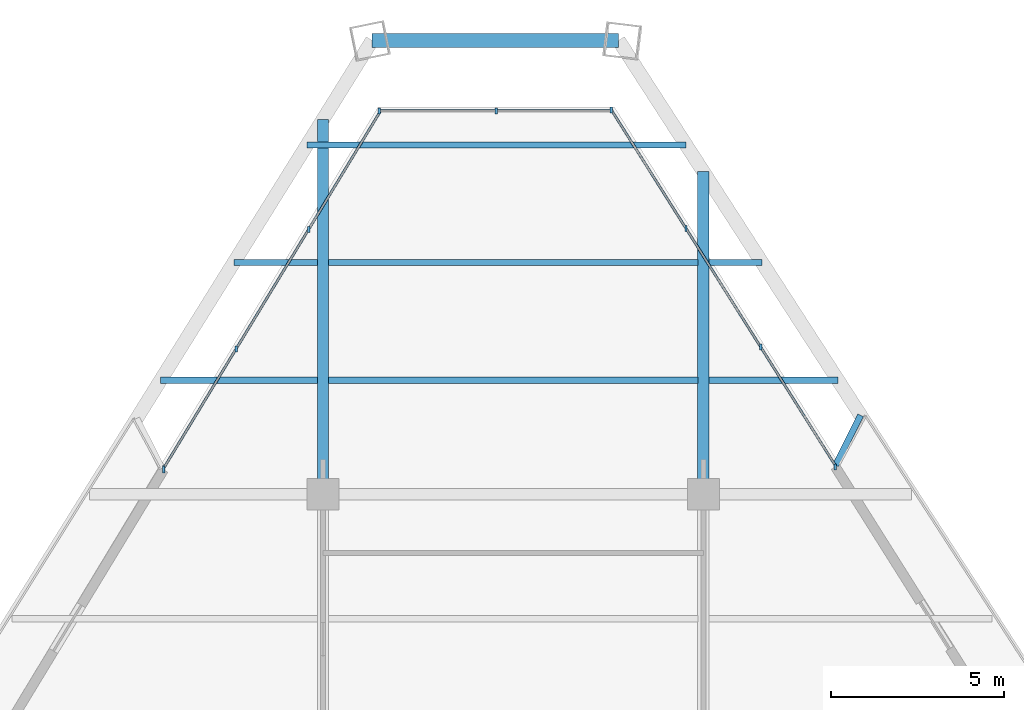
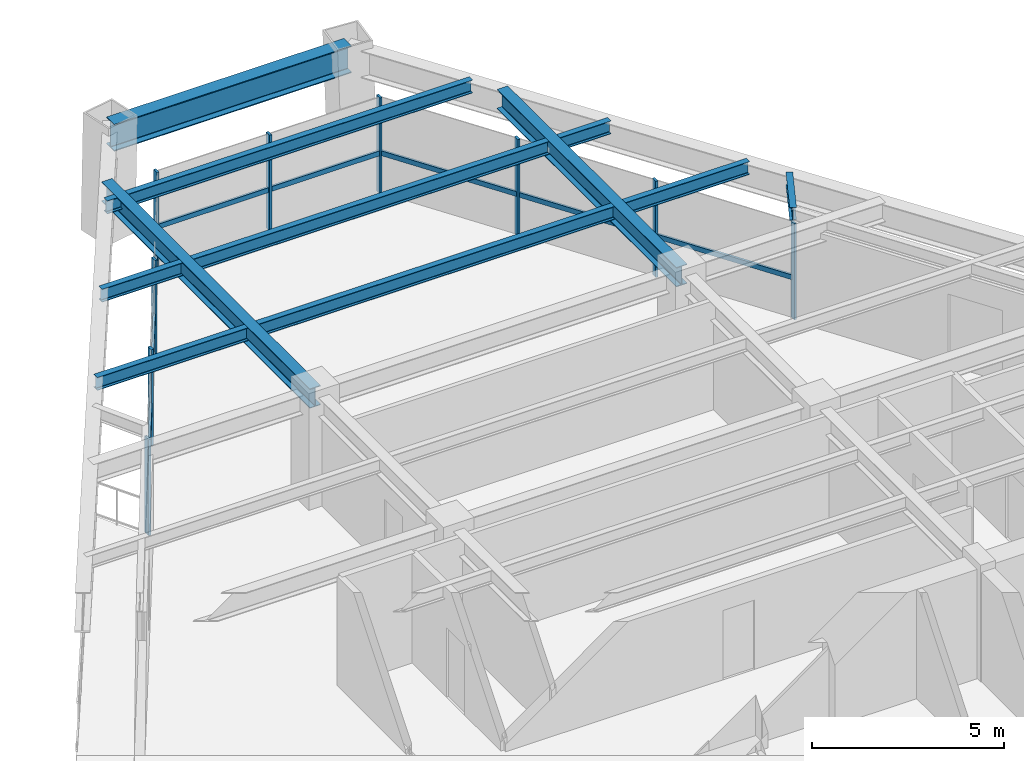
# One storey, part 6 of 12: 18 members, 11 beams, 3 elements without a shape of their own.
"""IFC4 building model written with IfcOpenShell, lengths in metres."""

from ifc_helpers import new_model, si_unit, direction, frame, origin, origin_2d, place, context, subcontext, project, spatial, rectangle, i_section, extrude, source, transform, mapped, material, material_profile, profile_set, type_object, element, aggregate, save


model = new_model("IFC4")

# Units and contexts
model_context = context("Model", 3, precision=1e-05, world=origin(), true_north=direction((0.0, 1.0)))
body_context = subcontext(model_context, "Body", "Model", "MODEL_VIEW")
ifc_project = project(units=[si_unit("LENGTHUNIT", "METRE"), si_unit("AREAUNIT", "SQUARE_METRE"), si_unit("VOLUMEUNIT", "CUBIC_METRE"), si_unit("PLANEANGLEUNIT", "RADIAN"), si_unit("MASSUNIT", "GRAM", prefix="KILO")], contexts=[model_context])

# Site, building, storey
site_placement = place(None, origin())
site = spatial("IfcSite", under=ifc_project, at=site_placement, CompositionType="ELEMENT")
building_placement = place(site_placement, origin())
building = spatial("IfcBuilding", under=site, at=building_placement, Name="Varnakhor Terracotta Tower", CompositionType="ELEMENT")
storey_placement = place(building_placement, frame((0.0, 0.0, 208.0)))
storey = spatial("IfcBuildingStorey", under=building, at=storey_placement, Name="L53", CompositionType="ELEMENT", Elevation=208.0)

# Beams
ifc_material_1 = material(Name="Steel S355", Category="steel")
ifc_material_profile_1 = material_profile(ifc_material_1, i_section(OverallWidth=0.179931640625, OverallDepth=0.4130859375, WebThickness=0.009765625, FlangeThickness=0.01611328125, FilletRadius=0.01806640625, at=origin_2d()), Name="W16X50")
ifc_profile_set_1 = profile_set([ifc_material_profile_1], Name="Steel S355")
beam_type_1 = type_object("IfcBeamType", Name="JST-W16X50", PredefinedType="JOIST", material=ifc_profile_set_1)
shared_shape_1 = source(origin(), body_context, "Body", "SweptSolid", [
    extrude(i_section(OverallWidth=0.179931640625, OverallDepth=0.4130859375, WebThickness=0.009765625, FlangeThickness=0.01611328125, FilletRadius=0.01806640625, at=origin_2d()), origin(), (0.0, 0.0, 1.0), 10.68310546875),
])
for number, where, z_axis, x_axis, name in (
    (1, (-5.341552734375, 34.800048828125, 3.263427734375), (1.0, 0.0, 0.0), (0.0, 1.0, 0.0), "L53 Composite Floor Joist 7-2"),
    (2, (-5.341552734375, 38.199951171875, 3.263427734375), (1.0, 0.0, 0.0), (0.0, 1.0, 0.0), "L53 Composite Floor Joist 8-2"),
):
    element("IfcBeam", number, at=place(storey_placement, frame(where, z_axis=z_axis, x_axis=x_axis)), inside=storey, type_object=beam_type_1, Name=name, PredefinedType="JOIST", context=body_context, shape_type="MappedRepresentation", body=[
        mapped(shared_shape_1, transform((0.0, 0.0, 0.0), scale=1.0)),
    ])
ifc_material_profile_2 = material_profile(ifc_material_1, i_section(OverallWidth=0.39990234375, OverallDepth=0.85498046875, WebThickness=0.01806640625, FlangeThickness=0.029052734375, FilletRadius=0.01806640625, at=origin_2d()), Name="W33X201")
ifc_profile_set_2 = profile_set([ifc_material_profile_2], Name="Steel S355")
beam_type_2 = type_object("IfcBeamType", Name="BM-W33X201", PredefinedType="BEAM", material=ifc_profile_set_2)
shared_shape_2 = source(origin(), body_context, "Body", "SweptSolid", [
    extrude(i_section(OverallWidth=0.39990234375, OverallDepth=0.85498046875, WebThickness=0.01806640625, FlangeThickness=0.029052734375, FilletRadius=0.01806640625, at=origin_2d()), origin(), (0.0, 0.0, 1.0), 7.127197265625),
])
beam_1_placement = place(storey_placement, frame((3.050048828125, 44.622802734375, 3.04248046875), z_axis=(-1.0, 0.0, 0.0), x_axis=(0.0, -1.0, 0.0)))
element("IfcBeam", 3, at=beam_1_placement, inside=storey, type_object=beam_type_2, Name="L53 Perimeter Spandrel 5", PredefinedType="BEAM", context=body_context, shape_type="MappedRepresentation", body=[
    mapped(shared_shape_2, transform((0.0, 0.0, 0.0), scale=1.0)),
])
ifc_material_profile_3 = material_profile(ifc_material_1, i_section(OverallWidth=0.324951171875, OverallDepth=0.615966796875, WebThickness=0.013916015625, FlangeThickness=0.02197265625, FilletRadius=0.01806640625, at=origin_2d()), Name="W24X117")
ifc_profile_set_3 = profile_set([ifc_material_profile_3], Name="Steel S355")
beam_type_3 = type_object("IfcBeamType", Name="BM-W24X117", PredefinedType="BEAM", material=ifc_profile_set_3)
shared_shape_3 = source(origin(), body_context, "Body", "SweptSolid", [
    extrude(i_section(OverallWidth=0.324951171875, OverallDepth=0.615966796875, WebThickness=0.013916015625, FlangeThickness=0.02197265625, FilletRadius=0.01806640625, at=origin_2d()), origin(), (0.0, 0.0, 1.0), 10.837646484375),
])
beam_2_placement = place(storey_placement, frame((-5.5, 31.5, 3.162109375), z_axis=(0.0, 1.0, 0.0), x_axis=(-1.0, 0.0, 0.0)))
element("IfcBeam", 4, at=beam_2_placement, inside=storey, type_object=beam_type_3, Name="L53 Primary Girder NS3-W", PredefinedType="BEAM", context=body_context, shape_type="MappedRepresentation", body=[
    mapped(shared_shape_3, transform((0.0, 0.0, 0.0), scale=1.0)),
])
shared_shape_4 = source(origin(), body_context, "Body", "SweptSolid", [
    extrude(i_section(OverallWidth=0.324951171875, OverallDepth=0.615966796875, WebThickness=0.013916015625, FlangeThickness=0.02197265625, FilletRadius=0.01806640625, at=origin_2d()), origin(), (0.0, 0.0, 1.0), 9.328369140625),
])
beam_3_placement = place(storey_placement, frame((5.5, 31.5, 3.162109375), z_axis=(0.0, 1.0, 0.0), x_axis=(-1.0, 0.0, 0.0)))
element("IfcBeam", 5, at=beam_3_placement, inside=storey, type_object=beam_type_3, Name="L53 Primary Girder NS3-E", PredefinedType="BEAM", context=body_context, shape_type="MappedRepresentation", body=[
    mapped(shared_shape_4, transform((0.0, 0.0, 0.0), scale=1.0)),
])
shared_shape_5 = source(origin(), body_context, "Body", "SweptSolid", [
    extrude(i_section(OverallWidth=0.179931640625, OverallDepth=0.4130859375, WebThickness=0.009765625, FlangeThickness=0.01611328125, FilletRadius=0.01806640625, at=origin_2d()), origin(), (0.0, 0.0, 1.0), 4.53466796875),
])
beam_4_placement = place(storey_placement, frame((-10.193115234375, 34.800048828125, 3.263427734375), z_axis=(1.0, 0.0, 0.0), x_axis=(0.0, 1.0, 0.0)))
element("IfcBeam", 6, at=beam_4_placement, inside=storey, type_object=beam_type_1, Name="L53 Composite Floor Joist 7-1", PredefinedType="JOIST", context=body_context, shape_type="MappedRepresentation", body=[
    mapped(shared_shape_5, transform((0.0, 0.0, 0.0), scale=1.0)),
])
shared_shape_6 = source(origin(), body_context, "Body", "SweptSolid", [
    extrude(i_section(OverallWidth=0.179931640625, OverallDepth=0.4130859375, WebThickness=0.009765625, FlangeThickness=0.01611328125, FilletRadius=0.01806640625, at=origin_2d()), origin(), (0.0, 0.0, 1.0), 3.73388671875),
])
beam_5_placement = place(storey_placement, frame((5.658447265625, 34.800048828125, 3.263427734375), z_axis=(1.0, 0.0, 0.0), x_axis=(0.0, 1.0, 0.0)))
element("IfcBeam", 7, at=beam_5_placement, inside=storey, type_object=beam_type_1, Name="L53 Composite Floor Joist 7-3", PredefinedType="JOIST", context=body_context, shape_type="MappedRepresentation", body=[
    mapped(shared_shape_6, transform((0.0, 0.0, 0.0), scale=1.0)),
])
shared_shape_7 = source(origin(), body_context, "Body", "SweptSolid", [
    extrude(i_section(OverallWidth=0.179931640625, OverallDepth=0.4130859375, WebThickness=0.009765625, FlangeThickness=0.01611328125, FilletRadius=0.01806640625, at=origin_2d()), origin(), (0.0, 0.0, 1.0), 2.417724609375),
])
beam_6_placement = place(storey_placement, frame((-8.076171875, 38.199951171875, 3.263427734375), z_axis=(1.0, 0.0, 0.0), x_axis=(0.0, 1.0, 0.0)))
element("IfcBeam", 8, at=beam_6_placement, inside=storey, type_object=beam_type_1, Name="L53 Composite Floor Joist 8-1", PredefinedType="JOIST", context=body_context, shape_type="MappedRepresentation", body=[
    mapped(shared_shape_7, transform((0.0, 0.0, 0.0), scale=1.0)),
])
shared_shape_8 = source(origin(), body_context, "Body", "SweptSolid", [
    extrude(i_section(OverallWidth=0.179931640625, OverallDepth=0.4130859375, WebThickness=0.009765625, FlangeThickness=0.01611328125, FilletRadius=0.01806640625, at=origin_2d()), origin(), (0.0, 0.0, 1.0), 1.53857421875),
])
beam_7_placement = place(storey_placement, frame((5.658447265625, 38.199951171875, 3.263427734375), z_axis=(1.0, 0.0, 0.0), x_axis=(0.0, 1.0, 0.0)))
element("IfcBeam", 9, at=beam_7_placement, inside=storey, type_object=beam_type_1, Name="L53 Composite Floor Joist 8-3", PredefinedType="JOIST", context=body_context, shape_type="MappedRepresentation", body=[
    mapped(shared_shape_8, transform((0.0, 0.0, 0.0), scale=1.0)),
])
shared_shape_9 = source(origin(), body_context, "Body", "SweptSolid", [
    extrude(i_section(OverallWidth=0.179931640625, OverallDepth=0.4130859375, WebThickness=0.009765625, FlangeThickness=0.01611328125, FilletRadius=0.01806640625, at=origin_2d()), origin(), (0.0, 0.0, 1.0), 10.9609375),
])
beam_8_placement = place(storey_placement, frame((-5.959228515625, 41.60009765625, 3.263427734375), z_axis=(1.0, 0.0, 0.0), x_axis=(0.0, 1.0, 0.0)))
element("IfcBeam", 10, at=beam_8_placement, inside=storey, type_object=beam_type_1, Name="L53 Composite Floor Joist 9-1", PredefinedType="JOIST", context=body_context, shape_type="MappedRepresentation", body=[
    mapped(shared_shape_9, transform((0.0, 0.0, 0.0), scale=1.0)),
])
ifc_material_profile_4 = material_profile(ifc_material_1, i_section(OverallWidth=0.179931640625, OverallDepth=0.39990234375, WebThickness=0.008544921875, FlangeThickness=0.013427734375, FilletRadius=0.01806640625, at=origin_2d()), Name="IPE400")
ifc_profile_set_4 = profile_set([ifc_material_profile_4], Name="Steel S355")
beam_type_4 = type_object("IfcBeamType", Name="JST-IPE400", PredefinedType="JOIST", material=ifc_profile_set_4)
shared_shape_10 = source(origin(), body_context, "Body", "SweptSolid", [
    extrude(i_section(OverallWidth=0.179931640625, OverallDepth=0.39990234375, WebThickness=0.008544921875, FlangeThickness=0.013427734375, FilletRadius=0.01806640625, at=origin_2d()), origin(), (0.0, 0.0, 1.0), 1.615234375),
])
beam_9_placement = place(storey_placement, frame((9.326904296875, 32.33935546875, 3.27001953125), z_axis=(0.446185501654, 0.894940499762, 0.0), x_axis=(-0.894940499762, 0.446185501654, 0.0)))
element("IfcBeam", 11, at=beam_9_placement, inside=storey, type_object=beam_type_4, Name="L54 E Loggia Tie Beam 1", PredefinedType="JOIST", context=body_context, shape_type="MappedRepresentation", body=[
    mapped(shared_shape_10, transform((0.0, 0.0, 0.0), scale=1.0)),
])

# Curtain wall, members
ifc_material_2 = material(Name="Anodised Aluminium Curtain Wall System", Category="aluminium")
curtain_wall_type = type_object("IfcCurtainWallType", Name="CW-SYS-MID-OFFICE", PredefinedType="NOTDEFINED", material=ifc_material_2)
curtain_wall_1_placement = place(storey_placement, origin())
curtain_wall_1 = element("IfcCurtainWall", 12, at=curtain_wall_1_placement, inside=storey, type_object=curtain_wall_type, Name="L53 W Facet Curtain Wall 2", PredefinedType="NOTDEFINED")
ifc_material_3 = material(Name="Anodised Aluminium 6063-T6", Category="aluminium")
ifc_material_profile_5 = material_profile(ifc_material_3, rectangle(XDim=0.070068359375, YDim=0.175048828125, at=origin_2d()), Name="ALU MULLION 70x175")
ifc_profile_set_5 = profile_set([ifc_material_profile_5], Name="Anodised Aluminium 6063-T6")
member_type_1 = type_object("IfcMemberType", Name="CWM-03", PredefinedType="MULLION", material=ifc_profile_set_5)
shared_shape_11 = source(origin(), body_context, "Body", "SweptSolid", [
    extrude(rectangle(XDim=0.070068359375, YDim=0.175048828125, at=origin_2d()), origin(), (0.0, 0.0, 1.0), 3.050048828125),
])
member_1_placement = place(storey_placement, frame((-10.1083984375, 32.24560546875, 0.0), z_axis=(0.0, 0.0, 1.0), x_axis=(1.0, 0.0, 0.0)))
member_1 = element("IfcMember", 13, at=member_1_placement, type_object=member_type_1, Name="L53 W Facet Curtain Wall 2 Mullion 1", PredefinedType="MULLION", context=body_context, shape_type="MappedRepresentation", body=[
    mapped(shared_shape_11, transform((0.0, 0.0, 0.0), scale=1.0)),
])
member_2_placement = place(storey_placement, frame((-8.01025390625, 35.7021484375, 0.0), z_axis=(0.0, 0.0, 1.0), x_axis=(1.0, 0.0, 0.0)))
member_2 = element("IfcMember", 14, at=member_2_placement, type_object=member_type_1, Name="L53 W Facet Curtain Wall 2 Mullion 2", PredefinedType="MULLION", context=body_context, shape_type="MappedRepresentation", body=[
    mapped(shared_shape_11, transform((0.0, 0.0, 0.0), scale=1.0)),
])
member_3_placement = place(storey_placement, frame((-5.911865234375, 39.158935546875, 0.0), z_axis=(0.0, 0.0, 1.0), x_axis=(1.0, 0.0, 0.0)))
member_3 = element("IfcMember", 15, at=member_3_placement, type_object=member_type_1, Name="L53 W Facet Curtain Wall 2 Mullion 3", PredefinedType="MULLION", context=body_context, shape_type="MappedRepresentation", body=[
    mapped(shared_shape_11, transform((0.0, 0.0, 0.0), scale=1.0)),
])
member_4_placement = place(storey_placement, frame((-10.10693359375, 32.209716796875, 0.0), z_axis=(0.0, 0.0, 1.0), x_axis=(1.0, 0.0, 0.0)))
member_4 = element("IfcMember", 16, at=member_4_placement, type_object=member_type_1, Name="L53 W Loggia Jamb Closure Mullion 2", PredefinedType="MULLION", context=body_context, shape_type="MappedRepresentation", body=[
    mapped(shared_shape_11, transform((0.0, 0.0, 0.0), scale=1.0)),
])

curtain_wall_2_placement = place(storey_placement, origin())
curtain_wall_2 = element("IfcCurtainWall", 17, at=curtain_wall_2_placement, inside=storey, type_object=curtain_wall_type, Name="L53 Facet Curtain Wall 2", PredefinedType="NOTDEFINED")
member_5_placement = place(storey_placement, frame((-3.870361328125, 42.58349609375, 0.0), z_axis=(0.0, 0.0, 1.0), x_axis=(1.0, 0.0, 0.0)))
member_5 = element("IfcMember", 18, at=member_5_placement, type_object=member_type_1, Name="L53 Facet Curtain Wall 2 Mullion 1", PredefinedType="MULLION", context=body_context, shape_type="MappedRepresentation", body=[
    mapped(shared_shape_11, transform((0.0, 0.0, 0.0), scale=1.0)),
])
member_6_placement = place(storey_placement, frame((-0.48779296875, 42.58349609375, 0.0), z_axis=(0.0, 0.0, 1.0), x_axis=(1.0, 0.0, 0.0)))
member_6 = element("IfcMember", 19, at=member_6_placement, type_object=member_type_1, Name="L53 Facet Curtain Wall 2 Mullion 2", PredefinedType="MULLION", context=body_context, shape_type="MappedRepresentation", body=[
    mapped(shared_shape_11, transform((0.0, 0.0, 0.0), scale=1.0)),
])

curtain_wall_3_placement = place(storey_placement, origin())
curtain_wall_3 = element("IfcCurtainWall", 20, at=curtain_wall_3_placement, inside=storey, type_object=curtain_wall_type, Name="L53 E Facet Curtain Wall 1", PredefinedType="NOTDEFINED")
member_7_placement = place(storey_placement, frame((2.839111328125, 42.6142578125, 0.0), z_axis=(0.0, 0.0, 1.0), x_axis=(1.0, 0.0, 0.0)))
member_7 = element("IfcMember", 21, at=member_7_placement, type_object=member_type_1, Name="L53 E Facet Curtain Wall 1 Mullion 1", PredefinedType="MULLION", context=body_context, shape_type="MappedRepresentation", body=[
    mapped(shared_shape_11, transform((0.0, 0.0, 0.0), scale=1.0)),
])
member_8_placement = place(storey_placement, frame((4.9990234375, 39.185302734375, 0.0), z_axis=(0.0, 0.0, 1.0), x_axis=(1.0, 0.0, 0.0)))
member_8 = element("IfcMember", 22, at=member_8_placement, type_object=member_type_1, Name="L53 E Facet Curtain Wall 1 Mullion 2", PredefinedType="MULLION", context=body_context, shape_type="MappedRepresentation", body=[
    mapped(shared_shape_11, transform((0.0, 0.0, 0.0), scale=1.0)),
])
member_9_placement = place(storey_placement, frame((7.158935546875, 35.75634765625, 0.0), z_axis=(0.0, 0.0, 1.0), x_axis=(1.0, 0.0, 0.0)))
member_9 = element("IfcMember", 23, at=member_9_placement, type_object=member_type_1, Name="L53 E Facet Curtain Wall 1 Mullion 3", PredefinedType="MULLION", context=body_context, shape_type="MappedRepresentation", body=[
    mapped(shared_shape_11, transform((0.0, 0.0, 0.0), scale=1.0)),
])
member_10_placement = place(storey_placement, frame((9.31787109375, 32.29150390625, 0.0), z_axis=(0.0, 0.0, 1.0), x_axis=(1.0, 0.0, 0.0)))
member_10 = element("IfcMember", 24, at=member_10_placement, type_object=member_type_1, Name="L53 E Loggia Jamb Closure Mullion 1", PredefinedType="MULLION", context=body_context, shape_type="MappedRepresentation", body=[
    mapped(shared_shape_11, transform((0.0, 0.0, 0.0), scale=1.0)),
])

# Member
ifc_material_profile_6 = material_profile(ifc_material_3, rectangle(XDim=0.070068359375, YDim=0.155029296875, at=origin_2d()), Name="ALU TRANSOM 70x155")
ifc_profile_set_6 = profile_set([ifc_material_profile_6], Name="Anodised Aluminium 6063-T6")
member_type_2 = type_object("IfcMemberType", Name="CWT-03", PredefinedType="USERDEFINED", material=ifc_profile_set_6)
shared_shape_12 = source(origin(), body_context, "Body", "SweptSolid", [
    extrude(rectangle(XDim=0.070068359375, YDim=0.155029296875, at=origin_2d()), origin(), (0.0, 0.0, 1.0), 4.0439453125),
])
member_11_placement = place(storey_placement, frame((-8.01025390625, 35.7021484375, 1.281005859375), z_axis=(0.518910388236, 0.854828643051, 0.0), x_axis=(-0.854828643051, 0.518910388236, 0.0)))
member_11 = element("IfcMember", 25, at=member_11_placement, type_object=member_type_2, Name="L53 W Facet Curtain Wall 2 Transom 2", ObjectType="TRANSOM", PredefinedType="USERDEFINED", context=body_context, shape_type="MappedRepresentation", body=[
    mapped(shared_shape_12, transform((0.0, 0.0, 0.0), scale=1.0)),
])

shared_shape_13 = source(origin(), body_context, "Body", "SweptSolid", [
    extrude(rectangle(XDim=0.070068359375, YDim=0.155029296875, at=origin_2d()), origin(), (0.0, 0.0, 1.0), 4.043701171875),
])
member_12_placement = place(storey_placement, frame((-5.911865234375, 39.158935546875, 1.281005859375), z_axis=(0.518937169816, 0.854812385137, 0.0), x_axis=(-0.854812385137, 0.518937169816, 0.0)))
member_12 = element("IfcMember", 26, at=member_12_placement, type_object=member_type_2, Name="L53 W Facet Curtain Wall 2 Transom 3", ObjectType="TRANSOM", PredefinedType="USERDEFINED", context=body_context, shape_type="MappedRepresentation", body=[
    mapped(shared_shape_13, transform((0.0, 0.0, 0.0), scale=1.0)),
])

shared_shape_14 = source(origin(), body_context, "Body", "SweptSolid", [
    extrude(rectangle(XDim=0.070068359375, YDim=0.155029296875, at=origin_2d()), origin(), (0.0, 0.0, 1.0), 4.04345703125),
])
member_13_placement = place(storey_placement, frame((-10.1083984375, 32.24560546875, 1.281005859375), z_axis=(0.518893050281, 0.854839167545, 0.0), x_axis=(-0.854839167545, 0.518893050281, 0.0)))
member_13 = element("IfcMember", 27, at=member_13_placement, type_object=member_type_2, Name="L53 W Facet Curtain Wall 2 Transom 1", ObjectType="TRANSOM", PredefinedType="USERDEFINED", context=body_context, shape_type="MappedRepresentation", body=[
    mapped(shared_shape_14, transform((0.0, 0.0, 0.0), scale=1.0)),
])

aggregate(curtain_wall_1, [member_1, member_13, member_2, member_11, member_3, member_12, member_4])

shared_shape_15 = source(origin(), body_context, "Body", "SweptSolid", [
    extrude(rectangle(XDim=0.070068359375, YDim=0.155029296875, at=origin_2d()), origin(), (0.0, 0.0, 1.0), 3.382568359375),
])
member_14_placement = place(storey_placement, frame((-3.870361328125, 42.58349609375, 1.281005859375), z_axis=(1.0, 0.0, 0.0), x_axis=(0.0, 1.0, 0.0)))
member_14 = element("IfcMember", 28, at=member_14_placement, type_object=member_type_2, Name="L53 Facet Curtain Wall 2 Transom 1", ObjectType="TRANSOM", PredefinedType="USERDEFINED", context=body_context, shape_type="MappedRepresentation", body=[
    mapped(shared_shape_15, transform((0.0, 0.0, 0.0), scale=1.0)),
])

member_15_placement = place(storey_placement, frame((-0.48779296875, 42.58349609375, 1.281005859375), z_axis=(1.0, 0.0, 0.0), x_axis=(0.0, 1.0, 0.0)))
member_15 = element("IfcMember", 29, at=member_15_placement, type_object=member_type_2, Name="L53 Facet Curtain Wall 2 Transom 2", ObjectType="TRANSOM", PredefinedType="USERDEFINED", context=body_context, shape_type="MappedRepresentation", body=[
    mapped(shared_shape_15, transform((0.0, 0.0, 0.0), scale=1.0)),
])

aggregate(curtain_wall_2, [member_5, member_14, member_6, member_15])

shared_shape_16 = source(origin(), body_context, "Body", "SweptSolid", [
    extrude(rectangle(XDim=0.070068359375, YDim=0.155029296875, at=origin_2d()), origin(), (0.0, 0.0, 1.0), 4.052490234375),
])
member_16_placement = place(storey_placement, frame((2.839111328125, 42.6142578125, 1.281005859375), z_axis=(0.532979433672, -0.846128195537, 0.0), x_axis=(0.846128195537, 0.532979433672, 0.0)))
member_16 = element("IfcMember", 30, at=member_16_placement, type_object=member_type_2, Name="L53 E Facet Curtain Wall 1 Transom 1", ObjectType="TRANSOM", PredefinedType="USERDEFINED", context=body_context, shape_type="MappedRepresentation", body=[
    mapped(shared_shape_16, transform((0.0, 0.0, 0.0), scale=1.0)),
])

member_17_placement = place(storey_placement, frame((4.9990234375, 39.185302734375, 1.281005859375), z_axis=(0.532979433672, -0.846128195537, 0.0), x_axis=(0.846128195537, 0.532979433672, 0.0)))
member_17 = element("IfcMember", 31, at=member_17_placement, type_object=member_type_2, Name="L53 E Facet Curtain Wall 1 Transom 2", ObjectType="TRANSOM", PredefinedType="USERDEFINED", context=body_context, shape_type="MappedRepresentation", body=[
    mapped(shared_shape_16, transform((0.0, 0.0, 0.0), scale=1.0)),
])

member_18_placement = place(storey_placement, frame((7.158935546875, 35.75634765625, 1.281005859375), z_axis=(0.532979433672, -0.846128195537, 0.0), x_axis=(0.846128195537, 0.532979433672, 0.0)))
member_18 = element("IfcMember", 32, at=member_18_placement, type_object=member_type_2, Name="L53 E Facet Curtain Wall 1 Transom 3", ObjectType="TRANSOM", PredefinedType="USERDEFINED", context=body_context, shape_type="MappedRepresentation", body=[
    mapped(shared_shape_16, transform((0.0, 0.0, 0.0), scale=1.0)),
])

aggregate(curtain_wall_3, [member_7, member_16, member_8, member_17, member_9, member_18, member_10])

save(model, "model.ifc")
